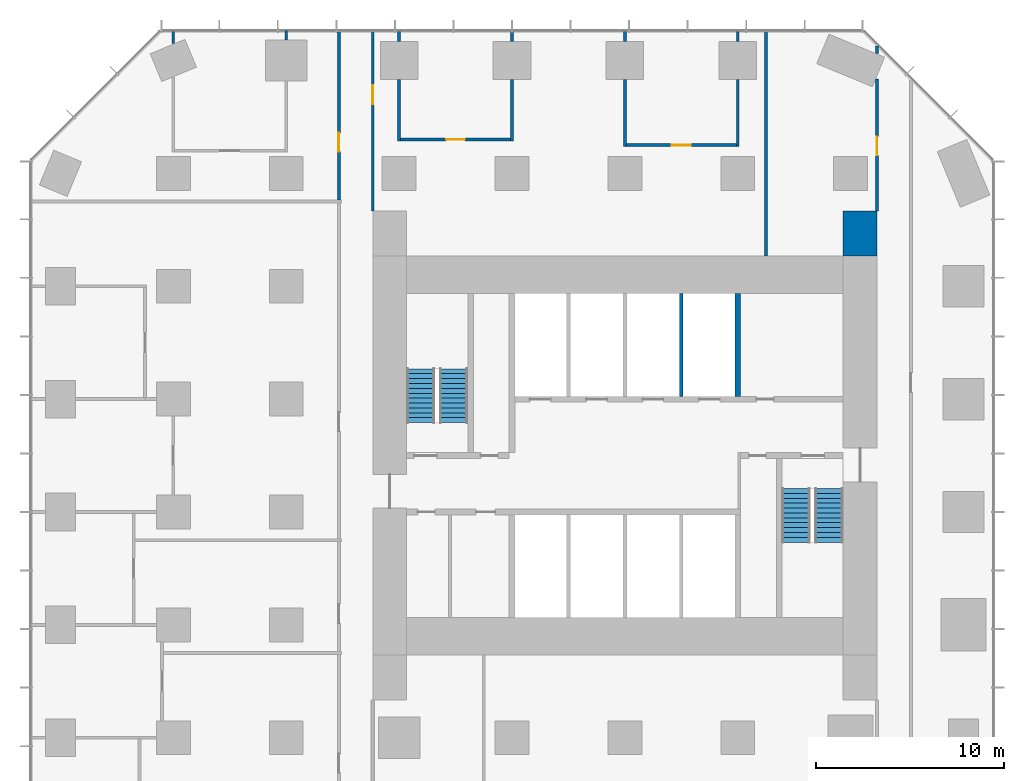
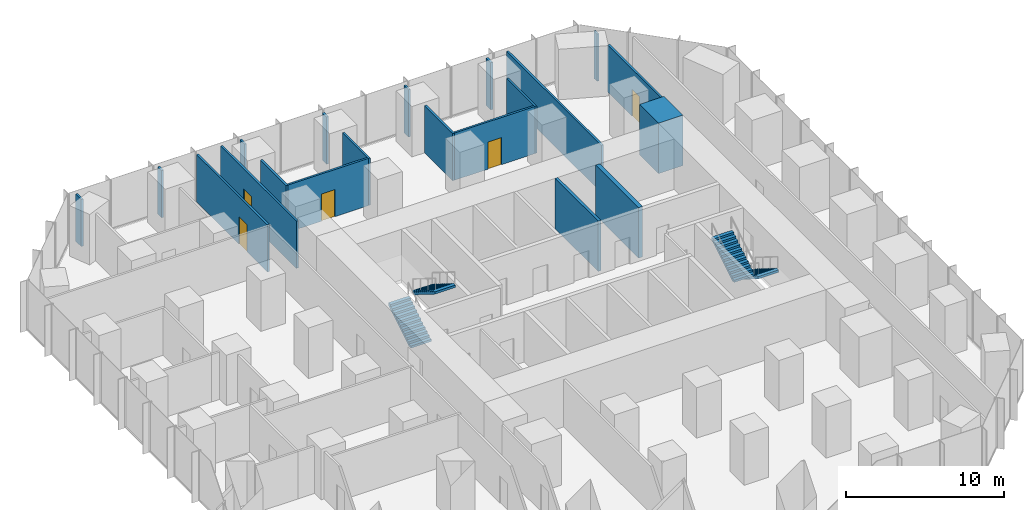
# One storey, part 10 of 11: 20 walls, 5 doors, 4 stair flights, 5 openings, 2 elements without a shape of their own.
"""IFC4 building model written with IfcOpenShell, lengths in metres."""

from ifc_helpers import new_model, si_unit, direction, frame, frame_2d, origin, place, context, subcontext, project, spatial, polyline, rectangle, outline, extrude, material, layer, layer_set, type_object, element, fill, aggregate, save


model = new_model("IFC4")

# Units and contexts
model_context = context("Model", 3, precision=1e-05, world=origin(), true_north=direction((0.0, 1.0)))
body_context = subcontext(model_context, "Body", "Model", "MODEL_VIEW")
ifc_project = project(units=[si_unit("LENGTHUNIT", "METRE"), si_unit("AREAUNIT", "SQUARE_METRE"), si_unit("VOLUMEUNIT", "CUBIC_METRE"), si_unit("PLANEANGLEUNIT", "RADIAN"), si_unit("MASSUNIT", "GRAM", prefix="KILO")], contexts=[model_context])

# Site, building, storey
site_placement = place(None, origin())
site = spatial("IfcSite", under=ifc_project, at=site_placement, CompositionType="ELEMENT")
building_placement = place(site_placement, origin())
building = spatial("IfcBuilding", under=site, at=building_placement, Name="Highveld Stack Headquarters", CompositionType="ELEMENT")
storey_placement = place(building_placement, frame((0.0, 0.0, 29.89990234375)))
storey = spatial("IfcBuildingStorey", under=building, at=storey_placement, Name="L06", CompositionType="ELEMENT", Elevation=29.89990234375)

# Walls
ifc_material_1 = material(Name="Concrete C60/75", Category="concrete")
ifc_layer_1 = layer(ifc_material_1, 0.300048828125)
ifc_layer_set_1 = layer_set([ifc_layer_1], Name="Concrete C60/75")
wall_type_1 = type_object("IfcWallType", Name="CORE WALL 300 C60/75", PredefinedType="SHEAR", material=ifc_layer_set_1)
wall_1_placement = place(storey_placement, frame((12.0, 6.14990234375, 0.0), z_axis=(0.0, 0.0, 1.0), x_axis=(0.0, 1.0, 0.0)))
element("IfcWall", 1, at=wall_1_placement, inside=storey, type_object=wall_type_1, Name="Core wall I-X12N L06", PredefinedType="SHEAR", context=body_context, shape_type="SweptSolid", body=[
    extrude(rectangle(XDim=5.4501953125, YDim=0.300048828125, at=frame_2d((2.72509765625, 0.0))), origin(), (0.0, 0.0, 1.0), 3.900146484375),
])
ifc_material_2 = material(Name="Concrete C60/75", Category="concrete")
ifc_layer_2 = layer(ifc_material_2, 1.800048828125)
ifc_layer_set_2 = layer_set([ifc_layer_2], Name="Concrete C60/75")
wall_type_2 = type_object("IfcWallType", Name="CORE WING WALL 1800 C60/75", PredefinedType="SHEAR", material=ifc_layer_set_2)
wall_2_placement = place(storey_placement, frame((18.5, 13.60009765625, 0.0), z_axis=(0.0, 0.0, 1.0), x_axis=(0.0, 1.0, 0.0)))
element("IfcWall", 2, at=wall_2_placement, inside=storey, type_object=wall_type_2, Name="Core wing wall EN L06", PredefinedType="SHEAR", context=body_context, shape_type="SweptSolid", body=[
    extrude(rectangle(XDim=2.39990234375, YDim=1.800048828125, at=frame_2d((1.199951171875, 0.0))), origin(), (0.0, 0.0, 1.0), 3.900146484375),
])
ifc_material_3 = material(Name="Concrete blockwork, fair-faced", Category="masonry")
ifc_layer_3 = layer(ifc_material_3, 0.199951171875)
ifc_layer_set_3 = layer_set([ifc_layer_3], Name="Concrete blockwork, fair-faced")
wall_type_3 = type_object("IfcWallType", Name="LIFT SHAFT ENCLOSURE WALL 200 BLOCKWORK", PredefinedType="SOLIDWALL", material=ifc_layer_set_3)
wall_3_placement = place(storey_placement, frame((9.0, 6.14990234375, 0.0), z_axis=(0.0, 0.0, 1.0), x_axis=(0.0, 1.0, 0.0)))
element("IfcWall", 3, at=wall_3_placement, inside=storey, type_object=wall_type_3, Name="Lift shaft wall L06", PredefinedType="SOLIDWALL", context=body_context, shape_type="SweptSolid", body=[
    extrude(rectangle(XDim=5.4501953125, YDim=0.199951171875, at=frame_2d((2.72509765625, 0.0))), origin(), (0.0, 0.0, 1.0), 3.900146484375),
])

# Wall, opening, door
ifc_material_4 = material(Name="Gypsum plasterboard on steel studs", Category="steel")
ifc_layer_4 = layer(ifc_material_4, 0.14990234375)
ifc_layer_set_4 = layer_set([ifc_layer_4], Name="Gypsum plasterboard on steel studs")
wall_type_4 = type_object("IfcWallType", Name="PARTITION 150 PLASTERBOARD", PredefinedType="PARTITIONING", material=ifc_layer_set_4)
wall_4_placement = place(storey_placement, frame((6.074951171875, 19.5, 0.0), z_axis=(0.0, 0.0, 1.0), x_axis=(1.0, 0.0, 0.0)))
wall_4 = element("IfcWall", 4, at=wall_4_placement, inside=storey, type_object=wall_type_4, Name="Partition Quiet room L06", PredefinedType="PARTITIONING", context=body_context, shape_type="SweptSolid", body=[
    extrude(rectangle(XDim=5.85009765625, YDim=0.14990234375, at=frame_2d((2.925048828125, 0.0))), origin(), (0.0, 0.0, 1.0), 3.650146484375),
])
opening_1_placement = place(wall_4_placement, frame((2.425048828125, 0.0, 0.0)))
opening_1 = element("IfcOpeningElement", 5, at=opening_1_placement, cuts=wall_4, Name="Opening L06-18", PredefinedType="OPENING", context=body_context, shape_type="SweptSolid", body=[
    extrude(rectangle(XDim=1.0, YDim=2.10009765625, at=frame_2d((0.5, 1.050048828125))), frame((0.0, 0.0849609375, 0.0), z_axis=(0.0, -1.0, 0.0), x_axis=(1.0, 0.0, 0.0)), (0.0, 0.0, 1.0), 0.169921875),
])
ifc_material_5 = material(Name="Timber door, oiled ash", Category="wood")
door_type = type_object("IfcDoorType", Name="ROOM DOOR D6 1000x2100", OperationType="SINGLE_SWING_LEFT", PredefinedType="DOOR", material=ifc_material_5)
door_1_placement = place(opening_1_placement, origin())
door_1 = element("IfcDoor", 6, at=door_1_placement, inside=storey, type_object=door_type, Name="Quiet room door 1 L06", OperationType="SINGLE_SWING_LEFT", OverallHeight=2.10009765625, OverallWidth=1.0, PredefinedType="DOOR", context=body_context, shape_type="SweptSolid", body=[
    extrude(rectangle(XDim=1.0, YDim=2.10009765625, at=frame_2d((0.5, 1.050048828125))), frame((0.0, 0.02490234375, 0.0), z_axis=(0.0, -1.0, 0.0), x_axis=(1.0, 0.0, 0.0)), (0.0, 0.0, 1.0), 0.050048828125),
])
fill(opening_1, door_1)

wall_5_placement = place(storey_placement, frame((-5.925048828125, 19.800048828125, 0.0), z_axis=(0.0, 0.0, 1.0), x_axis=(1.0, 0.0, 0.0)))
wall_5 = element("IfcWall", 7, at=wall_5_placement, inside=storey, type_object=wall_type_4, Name="Partition Print room L06", PredefinedType="PARTITIONING", context=body_context, shape_type="SweptSolid", body=[
    extrude(rectangle(XDim=5.85009765625, YDim=0.14990234375, at=frame_2d((2.925048828125, 0.0))), origin(), (0.0, 0.0, 1.0), 3.650146484375),
])
opening_2_placement = place(wall_5_placement, frame((2.425048828125, 0.0, 0.0)))
opening_2 = element("IfcOpeningElement", 8, at=opening_2_placement, cuts=wall_5, Name="Opening L06-17", PredefinedType="OPENING", context=body_context, shape_type="SweptSolid", body=[
    extrude(rectangle(XDim=1.0, YDim=2.10009765625, at=frame_2d((0.5, 1.050048828125))), frame((0.0, 0.0849609375, 0.0), z_axis=(0.0, -1.0, 0.0), x_axis=(1.0, 0.0, 0.0)), (0.0, 0.0, 1.0), 0.169921875),
])
door_2_placement = place(opening_2_placement, origin())
door_2 = element("IfcDoor", 9, at=door_2_placement, inside=storey, type_object=door_type, Name="Print room door 1 L06", OperationType="SINGLE_SWING_LEFT", OverallHeight=2.10009765625, OverallWidth=1.0, PredefinedType="DOOR", context=body_context, shape_type="SweptSolid", body=[
    extrude(rectangle(XDim=1.0, YDim=2.10009765625, at=frame_2d((0.5, 1.050048828125))), frame((0.0, 0.02490234375, 0.0), z_axis=(0.0, -1.0, 0.0), x_axis=(1.0, 0.0, 0.0)), (0.0, 0.0, 1.0), 0.050048828125),
])
fill(opening_2, door_2)

# Walls
wall_6_placement = place(storey_placement, frame((-18.0, 24.89697265625, 0.0), z_axis=(0.0, 0.0, 1.0), x_axis=(0.0, 1.0, 0.0)))
element("IfcWall", 10, at=wall_6_placement, inside=storey, type_object=wall_type_4, Name="Partition Tea kitchen L06", PredefinedType="PARTITIONING", context=body_context, shape_type="SweptSolid", body=[
    extrude(rectangle(XDim=0.703125, YDim=0.14990234375, at=frame_2d((0.3515625, 0.0))), origin(), (0.0, 0.0, 1.0), 3.650146484375),
])
wall_7_placement = place(storey_placement, frame((-12.0, 25.10009765625, 0.0), z_axis=(0.0, 0.0, 1.0), x_axis=(0.0, 1.0, 0.0)))
element("IfcWall", 11, at=wall_7_placement, inside=storey, type_object=wall_type_4, Name="Partition Tea kitchen L06", PredefinedType="PARTITIONING", context=body_context, shape_type="SweptSolid", body=[
    extrude(rectangle(XDim=0.5, YDim=0.14990234375, at=frame_2d((0.25, 0.0))), origin(), (0.0, 0.0, 1.0), 3.650146484375),
])
wall_8_placement = place(storey_placement, frame((-6.0, 19.72509765625, 0.0), z_axis=(0.0, 0.0, 1.0), x_axis=(0.0, 1.0, 0.0)))
element("IfcWall", 12, at=wall_8_placement, inside=storey, type_object=wall_type_4, Name="Partition Print room L06", PredefinedType="PARTITIONING", context=body_context, shape_type="SweptSolid", body=[
    extrude(rectangle(XDim=3.27490234375, YDim=0.14990234375, at=frame_2d((1.637451171875, 0.0))), origin(), (0.0, 0.0, 1.0), 3.650146484375),
])
wall_9_placement = place(storey_placement, frame((-6.0, 25.0, 0.0), z_axis=(0.0, 0.0, 1.0), x_axis=(0.0, 1.0, 0.0)))
element("IfcWall", 13, at=wall_9_placement, inside=storey, type_object=wall_type_4, Name="Partition Print room L06", PredefinedType="PARTITIONING", context=body_context, shape_type="SweptSolid", body=[
    extrude(rectangle(XDim=0.60009765625, YDim=0.14990234375, at=frame_2d((0.300048828125, 0.0))), origin(), (0.0, 0.0, 1.0), 3.650146484375),
])
wall_10_placement = place(storey_placement, frame((0.0, 19.72509765625, 0.0), z_axis=(0.0, 0.0, 1.0), x_axis=(0.0, 1.0, 0.0)))
element("IfcWall", 14, at=wall_10_placement, inside=storey, type_object=wall_type_4, Name="Partition Print room L06", PredefinedType="PARTITIONING", context=body_context, shape_type="SweptSolid", body=[
    extrude(rectangle(XDim=3.27490234375, YDim=0.14990234375, at=frame_2d((1.637451171875, 0.0))), origin(), (0.0, 0.0, 1.0), 3.650146484375),
])
wall_11_placement = place(storey_placement, frame((0.0, 25.0, 0.0), z_axis=(0.0, 0.0, 1.0), x_axis=(0.0, 1.0, 0.0)))
element("IfcWall", 15, at=wall_11_placement, inside=storey, type_object=wall_type_4, Name="Partition Print room L06", PredefinedType="PARTITIONING", context=body_context, shape_type="SweptSolid", body=[
    extrude(rectangle(XDim=0.550048828125, YDim=0.14990234375, at=frame_2d((0.27490234375, 0.0))), origin(), (0.0, 0.0, 1.0), 3.650146484375),
])
wall_12_placement = place(storey_placement, frame((6.0, 19.425048828125, 0.0), z_axis=(0.0, 0.0, 1.0), x_axis=(0.0, 1.0, 0.0)))
element("IfcWall", 16, at=wall_12_placement, inside=storey, type_object=wall_type_4, Name="Partition Quiet room L06", PredefinedType="PARTITIONING", context=body_context, shape_type="SweptSolid", body=[
    extrude(rectangle(XDim=3.574951171875, YDim=0.14990234375, at=frame_2d((1.78759765625, 0.0))), origin(), (0.0, 0.0, 1.0), 3.650146484375),
])
wall_13_placement = place(storey_placement, frame((6.0, 25.0, 0.0), z_axis=(0.0, 0.0, 1.0), x_axis=(0.0, 1.0, 0.0)))
element("IfcWall", 17, at=wall_13_placement, inside=storey, type_object=wall_type_4, Name="Partition Quiet room L06", PredefinedType="PARTITIONING", context=body_context, shape_type="SweptSolid", body=[
    extrude(rectangle(XDim=0.60009765625, YDim=0.14990234375, at=frame_2d((0.300048828125, 0.0))), origin(), (0.0, 0.0, 1.0), 3.650146484375),
])
wall_14_placement = place(storey_placement, frame((12.0, 19.425048828125, 0.0), z_axis=(0.0, 0.0, 1.0), x_axis=(0.0, 1.0, 0.0)))
element("IfcWall", 18, at=wall_14_placement, inside=storey, type_object=wall_type_4, Name="Partition Quiet room L06", PredefinedType="PARTITIONING", context=body_context, shape_type="SweptSolid", body=[
    extrude(rectangle(XDim=3.574951171875, YDim=0.14990234375, at=frame_2d((1.78759765625, 0.0))), origin(), (0.0, 0.0, 1.0), 3.650146484375),
])
wall_15_placement = place(storey_placement, frame((12.0, 25.0, 0.0), z_axis=(0.0, 0.0, 1.0), x_axis=(0.0, 1.0, 0.0)))
element("IfcWall", 19, at=wall_15_placement, inside=storey, type_object=wall_type_4, Name="Partition Quiet room L06", PredefinedType="PARTITIONING", context=body_context, shape_type="SweptSolid", body=[
    extrude(rectangle(XDim=0.60009765625, YDim=0.14990234375, at=frame_2d((0.300048828125, 0.0))), origin(), (0.0, 0.0, 1.0), 3.650146484375),
])

# Wall, opening, door
wall_16_placement = place(storey_placement, frame((-9.199951171875, 16.574951171875, 0.0), z_axis=(0.0, 0.0, 1.0), x_axis=(0.0, 1.0, 0.0)))
wall_16 = element("IfcWall", 20, at=wall_16_placement, inside=storey, type_object=wall_type_4, Name="Partition office neighbourhood L06", PredefinedType="PARTITIONING", context=body_context, shape_type="SweptSolid", body=[
    extrude(rectangle(XDim=8.97509765625, YDim=0.14990234375, at=frame_2d((4.487548828125, 0.0))), origin(), (0.0, 0.0, 1.0), 3.650146484375),
])
opening_3_placement = place(wall_16_placement, frame((2.574951171875, 0.0, 0.0)))
opening_3 = element("IfcOpeningElement", 21, at=opening_3_placement, cuts=wall_16, Name="Opening L06-27", PredefinedType="OPENING", context=body_context, shape_type="SweptSolid", body=[
    extrude(rectangle(XDim=1.0, YDim=2.10009765625, at=frame_2d((0.5, 1.050048828125))), frame((0.0, 0.0849609375, 0.0), z_axis=(0.0, -1.0, 0.0), x_axis=(1.0, 0.0, 0.0)), (0.0, 0.0, 1.0), 0.169921875),
])
door_3_placement = place(opening_3_placement, origin())
door_3 = element("IfcDoor", 22, at=door_3_placement, inside=storey, type_object=door_type, Name="Office neighbourhood door L06", OperationType="SINGLE_SWING_LEFT", OverallHeight=2.10009765625, OverallWidth=1.0, PredefinedType="DOOR", context=body_context, shape_type="SweptSolid", body=[
    extrude(rectangle(XDim=1.0, YDim=2.10009765625, at=frame_2d((0.5, 1.050048828125))), frame((0.0, 0.02490234375, 0.0), z_axis=(0.0, -1.0, 0.0), x_axis=(1.0, 0.0, 0.0)), (0.0, 0.0, 1.0), 0.050048828125),
])
fill(opening_3, door_3)

wall_17_placement = place(storey_placement, frame((-7.39990234375, 16.0, 0.0), z_axis=(0.0, 0.0, 1.0), x_axis=(0.0, 1.0, 0.0)))
wall_17 = element("IfcWall", 23, at=wall_17_placement, inside=storey, type_object=wall_type_4, Name="Partition office neighbourhood L06", PredefinedType="PARTITIONING", context=body_context, shape_type="SweptSolid", body=[
    extrude(rectangle(XDim=9.60009765625, YDim=0.14990234375, at=frame_2d((4.800048828125, 0.0))), origin(), (0.0, 0.0, 1.0), 3.650146484375),
])
opening_4_placement = place(wall_17_placement, frame((5.675048828125, 0.0, 0.0)))
opening_4 = element("IfcOpeningElement", 24, at=opening_4_placement, cuts=wall_17, Name="Opening L06-26", PredefinedType="OPENING", context=body_context, shape_type="SweptSolid", body=[
    extrude(rectangle(XDim=1.0, YDim=2.10009765625, at=frame_2d((0.5, 1.050048828125))), frame((0.0, 0.0849609375, 0.0), z_axis=(0.0, -1.0, 0.0), x_axis=(1.0, 0.0, 0.0)), (0.0, 0.0, 1.0), 0.169921875),
])
door_4_placement = place(opening_4_placement, origin())
door_4 = element("IfcDoor", 25, at=door_4_placement, inside=storey, type_object=door_type, Name="Office neighbourhood door L06", OperationType="SINGLE_SWING_RIGHT", OverallHeight=2.10009765625, OverallWidth=1.0, PredefinedType="DOOR", context=body_context, shape_type="SweptSolid", body=[
    extrude(rectangle(XDim=1.0, YDim=2.10009765625, at=frame_2d((0.5, 1.050048828125))), frame((0.0, 0.02490234375, 0.0), z_axis=(0.0, -1.0, 0.0), x_axis=(1.0, 0.0, 0.0)), (0.0, 0.0, 1.0), 0.050048828125),
])
fill(opening_4, door_4)

# Wall
wall_18_placement = place(storey_placement, frame((13.5, 13.60009765625, 0.0), z_axis=(0.0, 0.0, 1.0), x_axis=(0.0, 1.0, 0.0)))
element("IfcWall", 26, at=wall_18_placement, inside=storey, type_object=wall_type_4, Name="Partition office neighbourhood L06", PredefinedType="PARTITIONING", context=body_context, shape_type="SweptSolid", body=[
    extrude(rectangle(XDim=12.0, YDim=0.14990234375, at=frame_2d((6.0, 0.0))), origin(), (0.0, 0.0, 1.0), 3.650146484375),
])

# Wall, opening, door
wall_19_placement = place(storey_placement, frame((19.39990234375, 16.0, 0.0), z_axis=(0.0, 0.0, 1.0), x_axis=(0.0, 1.0, 0.0)))
wall_19 = element("IfcWall", 27, at=wall_19_placement, inside=storey, type_object=wall_type_4, Name="Partition office neighbourhood L06", PredefinedType="PARTITIONING", context=body_context, shape_type="SweptSolid", body=[
    extrude(rectangle(XDim=7.017822265625, YDim=0.14990234375, at=frame_2d((3.5087890625, 0.0))), origin(), (0.0, 0.0, 1.0), 3.650146484375),
])
opening_5_placement = place(wall_19_placement, frame((2.949951171875, 0.0, 0.0)))
opening_5 = element("IfcOpeningElement", 28, at=opening_5_placement, cuts=wall_19, Name="Opening L06-28", PredefinedType="OPENING", context=body_context, shape_type="SweptSolid", body=[
    extrude(rectangle(XDim=1.0, YDim=2.10009765625, at=frame_2d((0.5, 1.050048828125))), frame((0.0, 0.0849609375, 0.0), z_axis=(0.0, -1.0, 0.0), x_axis=(1.0, 0.0, 0.0)), (0.0, 0.0, 1.0), 0.169921875),
])
door_5_placement = place(opening_5_placement, origin())
door_5 = element("IfcDoor", 29, at=door_5_placement, inside=storey, type_object=door_type, Name="Office neighbourhood door L06", OperationType="SINGLE_SWING_LEFT", OverallHeight=2.10009765625, OverallWidth=1.0, PredefinedType="DOOR", context=body_context, shape_type="SweptSolid", body=[
    extrude(rectangle(XDim=1.0, YDim=2.10009765625, at=frame_2d((0.5, 1.050048828125))), frame((0.0, 0.02490234375, 0.0), z_axis=(0.0, -1.0, 0.0), x_axis=(1.0, 0.0, 0.0)), (0.0, 0.0, 1.0), 0.050048828125),
])
fill(opening_5, door_5)

# Wall
wall_20_placement = place(storey_placement, frame((19.39990234375, 24.37109375, 0.0), z_axis=(0.0, 0.0, 1.0), x_axis=(0.0, 1.0, 0.0)))
element("IfcWall", 30, at=wall_20_placement, inside=storey, type_object=wall_type_4, Name="Partition office neighbourhood L06", PredefinedType="PARTITIONING", context=body_context, shape_type="SweptSolid", body=[
    extrude(rectangle(XDim=0.39990234375, YDim=0.14990234375, at=frame_2d((0.199951171875, 0.0))), origin(), (0.0, 0.0, 1.0), 3.650146484375),
])

# Stair, stair flights
ifc_material_6 = material(Name="Concrete C40/50, precast", Category="concrete")
stair_type_1 = type_object("IfcStairType", Name="STAIR S1 HALF TURN 1500", PredefinedType="HALF_TURN_STAIR", material=ifc_material_6)
stair_1_placement = place(storey_placement, origin())
stair_1 = element("IfcStair", 31, at=stair_1_placement, inside=storey, type_object=stair_type_1, Name="Stair S1 L06", PredefinedType="HALF_TURN_STAIR")
ifc_material_7 = material(Name="Concrete C40/50, precast", Category="concrete")
stair_flight_type = type_object("IfcStairFlightType", Name="STAIR FLIGHT 1500 PRECAST", PredefinedType="STRAIGHT", material=ifc_material_7)
stair_flight_1_placement = place(storey_placement, frame((-4.85009765625, 4.75, 0.0), z_axis=(0.0, 0.0, 1.0), x_axis=(0.0, 1.0, 0.0)))
stair_flight_1 = element("IfcStairFlight", 32, at=stair_flight_1_placement, type_object=stair_flight_type, Name="S1 flight 1", NumberOfRisers=12, NumberOfTreads=11, PredefinedType="STRAIGHT", RiserHeight=0.1625, TreadLength=0.26, context=body_context, shape_type="SweptSolid", body=[
    extrude(outline(polyline([(0.0, 0.0), (0.0, 0.16259765625), (0.260009765625, 0.16259765625), (0.260009765625, 0.324951171875), (0.52001953125, 0.324951171875), (0.52001953125, 0.487548828125), (0.780029296875, 0.487548828125), (0.780029296875, 0.64990234375), (1.0400390625, 0.64990234375), (1.0400390625, 0.8125), (1.300048828125, 0.8125), (1.300048828125, 0.97509765625), (1.56005859375, 0.97509765625), (1.56005859375, 1.137451171875), (1.820068359375, 1.137451171875), (1.820068359375, 1.300048828125), (2.080078125, 1.300048828125), (2.080078125, 1.46240234375), (2.340087890625, 1.46240234375), (2.340087890625, 1.625), (2.60009765625, 1.625), (2.60009765625, 1.78759765625), (2.860107421875, 1.78759765625), (2.860107421875, 1.949951171875), (2.860107421875, 1.61083984375), (0.28271484375, 0.0), (0.0, 0.0)])), frame((0.0, 0.75, 0.0), z_axis=(0.0, -1.0, 0.0), x_axis=(1.0, 0.0, 0.0)), (0.0, 0.0, 1.0), 1.5),
])
stair_flight_2_placement = place(storey_placement, frame((-3.10009765625, 7.610107421875, 1.9501953125), z_axis=(0.0, 0.0, 1.0), x_axis=(0.0, -1.0, 0.0)))
stair_flight_2 = element("IfcStairFlight", 33, at=stair_flight_2_placement, type_object=stair_flight_type, Name="S1 flight 2", NumberOfRisers=12, NumberOfTreads=11, PredefinedType="STRAIGHT", RiserHeight=0.1625, TreadLength=0.26, context=body_context, shape_type="SweptSolid", body=[
    extrude(outline(polyline([(0.0, 0.0), (0.0, 0.16259765625), (0.260009765625, 0.16259765625), (0.260009765625, 0.324951171875), (0.52001953125, 0.324951171875), (0.52001953125, 0.487548828125), (0.780029296875, 0.487548828125), (0.780029296875, 0.64990234375), (1.0400390625, 0.64990234375), (1.0400390625, 0.8125), (1.300048828125, 0.8125), (1.300048828125, 0.97509765625), (1.56005859375, 0.97509765625), (1.56005859375, 1.137451171875), (1.820068359375, 1.137451171875), (1.820068359375, 1.300048828125), (2.080078125, 1.300048828125), (2.080078125, 1.46240234375), (2.340087890625, 1.46240234375), (2.340087890625, 1.625), (2.60009765625, 1.625), (2.60009765625, 1.78759765625), (2.860107421875, 1.78759765625), (2.860107421875, 1.949951171875), (2.860107421875, 1.61083984375), (0.28271484375, 0.0), (0.0, 0.0)])), frame((0.0, 0.75, 0.0), z_axis=(0.0, -1.0, 0.0), x_axis=(1.0, 0.0, 0.0)), (0.0, 0.0, 1.0), 1.5),
])
aggregate(stair_1, [stair_flight_1, stair_flight_2])

ifc_material_8 = material(Name="Concrete C40/50, precast", Category="concrete")
stair_type_2 = type_object("IfcStairType", Name="STAIR S2 HALF TURN 1500", PredefinedType="HALF_TURN_STAIR", material=ifc_material_8)
stair_2_placement = place(storey_placement, origin())
stair_2 = element("IfcStair", 34, at=stair_2_placement, inside=storey, type_object=stair_type_2, Name="Stair S2 L06", PredefinedType="HALF_TURN_STAIR")
stair_flight_3_placement = place(storey_placement, frame((16.85009765625, 1.25, 0.0), z_axis=(0.0, 0.0, 1.0), x_axis=(0.0, -1.0, 0.0)))
stair_flight_3 = element("IfcStairFlight", 35, at=stair_flight_3_placement, type_object=stair_flight_type, Name="S2 flight 1", NumberOfRisers=12, NumberOfTreads=11, PredefinedType="STRAIGHT", RiserHeight=0.1625, TreadLength=0.26, context=body_context, shape_type="SweptSolid", body=[
    extrude(outline(polyline([(0.0, 0.0), (0.0, 0.16259765625), (0.260009765625, 0.16259765625), (0.260009765625, 0.324951171875), (0.52001953125, 0.324951171875), (0.52001953125, 0.487548828125), (0.780029296875, 0.487548828125), (0.780029296875, 0.64990234375), (1.0400390625, 0.64990234375), (1.0400390625, 0.8125), (1.300048828125, 0.8125), (1.300048828125, 0.97509765625), (1.56005859375, 0.97509765625), (1.56005859375, 1.137451171875), (1.820068359375, 1.137451171875), (1.820068359375, 1.300048828125), (2.080078125, 1.300048828125), (2.080078125, 1.46240234375), (2.340087890625, 1.46240234375), (2.340087890625, 1.625), (2.60009765625, 1.625), (2.60009765625, 1.78759765625), (2.860107421875, 1.78759765625), (2.860107421875, 1.949951171875), (2.860107421875, 1.61083984375), (0.28271484375, 0.0), (0.0, 0.0)])), frame((0.0, 0.75, 0.0), z_axis=(0.0, -1.0, 0.0), x_axis=(1.0, 0.0, 0.0)), (0.0, 0.0, 1.0), 1.5),
])
stair_flight_4_placement = place(storey_placement, frame((15.10009765625, -1.610107421875, 1.9501953125), z_axis=(0.0, 0.0, 1.0), x_axis=(0.0, 1.0, 0.0)))
stair_flight_4 = element("IfcStairFlight", 36, at=stair_flight_4_placement, type_object=stair_flight_type, Name="S2 flight 2", NumberOfRisers=12, NumberOfTreads=11, PredefinedType="STRAIGHT", RiserHeight=0.1625, TreadLength=0.26, context=body_context, shape_type="SweptSolid", body=[
    extrude(outline(polyline([(0.0, 0.0), (0.0, 0.16259765625), (0.260009765625, 0.16259765625), (0.260009765625, 0.324951171875), (0.52001953125, 0.324951171875), (0.52001953125, 0.487548828125), (0.780029296875, 0.487548828125), (0.780029296875, 0.64990234375), (1.0400390625, 0.64990234375), (1.0400390625, 0.8125), (1.300048828125, 0.8125), (1.300048828125, 0.97509765625), (1.56005859375, 0.97509765625), (1.56005859375, 1.137451171875), (1.820068359375, 1.137451171875), (1.820068359375, 1.300048828125), (2.080078125, 1.300048828125), (2.080078125, 1.46240234375), (2.340087890625, 1.46240234375), (2.340087890625, 1.625), (2.60009765625, 1.625), (2.60009765625, 1.78759765625), (2.860107421875, 1.78759765625), (2.860107421875, 1.949951171875), (2.860107421875, 1.61083984375), (0.28271484375, 0.0), (0.0, 0.0)])), frame((0.0, 0.75, 0.0), z_axis=(0.0, -1.0, 0.0), x_axis=(1.0, 0.0, 0.0)), (0.0, 0.0, 1.0), 1.5),
])
aggregate(stair_2, [stair_flight_3, stair_flight_4])

save(model, "model.ifc")
